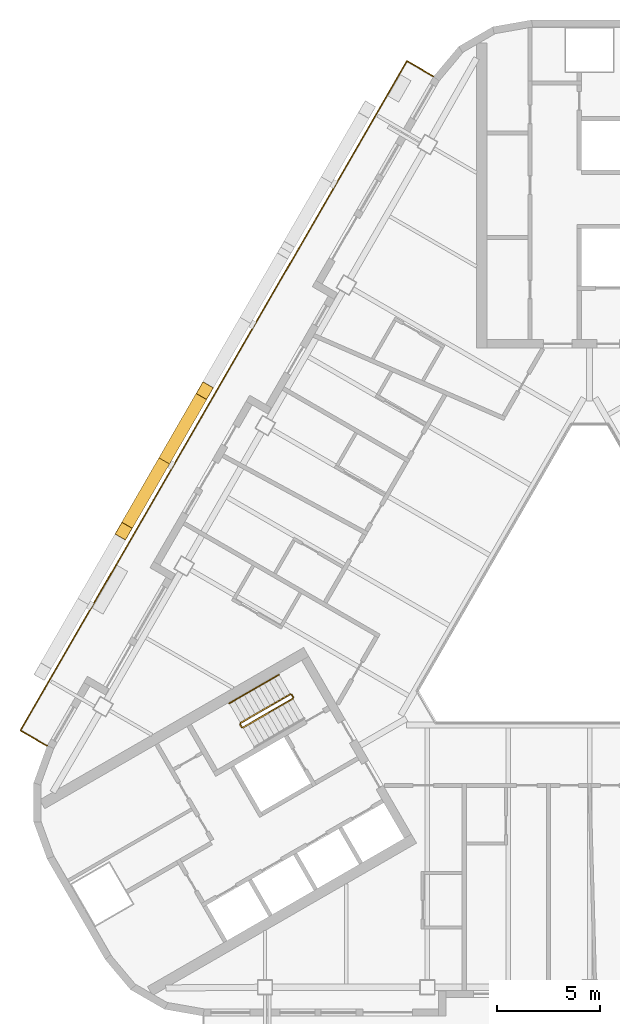
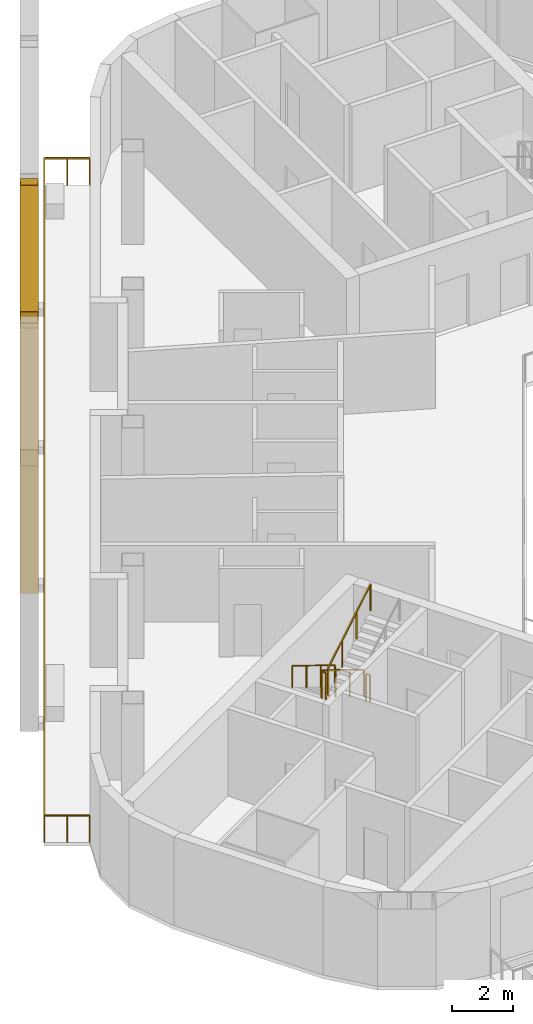
# One storey, part 10 of 14: 6 railings, 2 shading devices.
"""IFC4 building model written with IfcOpenShell, lengths in metres."""

from ifc_helpers import new_model, si_unit, direction, frame, origin, origin_2d, place, context, subcontext, project, spatial, rectangle, hollow_rectangle, circle, extrude, material, material_profile, profile_set, type_object, element, save


model = new_model("IFC4")

# Units and contexts
model_context = context("Model", 3, precision=1e-05, world=origin(), true_north=direction((0.0, 1.0)))
body_context = subcontext(model_context, "Body", "Model", "MODEL_VIEW")
ifc_project = project(units=[si_unit("LENGTHUNIT", "METRE"), si_unit("AREAUNIT", "SQUARE_METRE"), si_unit("VOLUMEUNIT", "CUBIC_METRE"), si_unit("PLANEANGLEUNIT", "RADIAN"), si_unit("MASSUNIT", "GRAM", prefix="KILO")], contexts=[model_context])

# Site, building, storey
site_placement = place(None, origin())
site = spatial("IfcSite", under=ifc_project, at=site_placement, CompositionType="ELEMENT")
building_placement = place(site_placement, origin())
building = spatial("IfcBuilding", under=site, at=building_placement, Name="Apuvela Tower Hotel", CompositionType="ELEMENT")
storey_placement = place(building_placement, frame((0.0, 0.0, 224.300048828125)))
storey = spatial("IfcBuildingStorey", under=building, at=storey_placement, Name="L55", CompositionType="ELEMENT", Elevation=224.300048828125)

# Railings
ifc_material_1 = material(Name="Steel S275 balustrade", Category="steel")
railing_type_1 = type_object("IfcRailingType", Name="COR-GUARD-1100", PredefinedType="GUARDRAIL", material=ifc_material_1)
railing_1_placement = place(storey_placement, frame((-14.569091796875, -3.9658203125, 0.168212890625)))
element("IfcRailing", 1, at=railing_1_placement, inside=storey, type_object=railing_type_1, Name="L55 ST2 stair guard 1", PredefinedType="GUARDRAIL", context=body_context, shape_type="SweptSolid", body=[
    extrude(rectangle(XDim=0.048095703125, YDim=0.048095703125, at=origin_2d()), frame((0.0, 0.0, 1.076171875), z_axis=(-0.74241905619, -0.428617687091, 0.514879426), x_axis=(0.49998411664, -0.866034573852, 0.0)), (0.0, 0.0, 1.0), 3.26611328125),
    extrude(rectangle(XDim=0.0419921875, YDim=0.0419921875, at=origin_2d()), origin(), (0.0, 0.0, 1.0), 1.052001953125),
    extrude(rectangle(XDim=0.0419921875, YDim=0.0419921875, at=origin_2d()), frame((-0.808349609375, -0.466552734375, 0.560546875)), (0.0, 0.0, 1.0), 1.052001953125),
    extrude(rectangle(XDim=0.0419921875, YDim=0.0419921875, at=origin_2d()), frame((-1.616455078125, -0.933349609375, 1.12109375)), (0.0, 0.0, 1.0), 1.052001953125),
    extrude(rectangle(XDim=0.0419921875, YDim=0.0419921875, at=origin_2d()), frame((-2.4248046875, -1.39990234375, 1.681640625)), (0.0, 0.0, 1.0), 1.052001953125),
])
railing_2_placement = place(storey_placement, frame((-17.01220703125, -5.43408203125, 1.849853515625)))
element("IfcRailing", 2, at=railing_2_placement, inside=storey, type_object=railing_type_1, Name="L55 ST2 stair guard 2", PredefinedType="GUARDRAIL", context=body_context, shape_type="SweptSolid", body=[
    extrude(rectangle(XDim=0.048095703125, YDim=0.048095703125, at=origin_2d()), frame((0.0, 0.0, 1.076171875), z_axis=(0.499816412211, -0.866131372301, 0.0), x_axis=(0.866131372301, 0.499816412211, 0.0)), (0.0, 0.0, 1.0), 0.14990234375),
    extrude(rectangle(XDim=0.0419921875, YDim=0.0419921875, at=origin_2d()), origin(), (0.0, 0.0, 1.0), 1.052001953125),
    extrude(rectangle(XDim=0.0419921875, YDim=0.0419921875, at=origin_2d()), frame((0.074951171875, -0.1298828125, 0.0)), (0.0, 0.0, 1.0), 1.052001953125),
])
railing_3_placement = place(storey_placement, frame((-16.868896484375, -5.582275390625, 2.01806640625)))
element("IfcRailing", 3, at=railing_3_placement, inside=storey, type_object=railing_type_1, Name="L55 ST2 stair guard 3", PredefinedType="GUARDRAIL", context=body_context, shape_type="SweptSolid", body=[
    extrude(rectangle(XDim=0.048095703125, YDim=0.048095703125, at=origin_2d()), frame((0.0, 0.0, 1.076171875), z_axis=(0.742390482028, 0.42860119049, 0.514934356695), x_axis=(-0.49998411664, 0.866034573852, 0.0)), (0.0, 0.0, 1.0), 3.26611328125),
    extrude(rectangle(XDim=0.0419921875, YDim=0.0419921875, at=origin_2d()), origin(), (0.0, 0.0, 1.0), 1.052001953125),
    extrude(rectangle(XDim=0.0419921875, YDim=0.0419921875, at=origin_2d()), frame((0.808349609375, 0.466552734375, 0.560546875)), (0.0, 0.0, 1.0), 1.052001953125),
    extrude(rectangle(XDim=0.0419921875, YDim=0.0419921875, at=origin_2d()), frame((1.616455078125, 0.933349609375, 1.121337890625)), (0.0, 0.0, 1.0), 1.052001953125),
    extrude(rectangle(XDim=0.0419921875, YDim=0.0419921875, at=origin_2d()), frame((2.4248046875, 1.39990234375, 1.681884765625)), (0.0, 0.0, 1.0), 1.052001953125),
])
railing_4_placement = place(storey_placement, frame((-14.500732421875, -3.984130859375, 0.0)))
element("IfcRailing", 4, at=railing_4_placement, inside=storey, type_object=railing_type_1, Name="L55 ST2 stair guard 4", PredefinedType="GUARDRAIL", context=body_context, shape_type="SweptSolid", body=[
    extrude(rectangle(XDim=0.048095703125, YDim=0.048095703125, at=origin_2d()), frame((0.0, 0.0, 1.076171875), z_axis=(0.499816412211, -0.866131372301, 0.0), x_axis=(0.866131372301, 0.499816412211, 0.0)), (0.0, 0.0, 1.0), 0.14990234375),
    extrude(rectangle(XDim=0.0419921875, YDim=0.0419921875, at=origin_2d()), origin(), (0.0, 0.0, 1.0), 1.052001953125),
    extrude(rectangle(XDim=0.0419921875, YDim=0.0419921875, at=origin_2d()), frame((0.074951171875, -0.1298828125, 0.0)), (0.0, 0.0, 1.0), 1.052001953125),
])
ifc_material_2 = material(Name="Stainless steel 316 handrail", Category="steel")
railing_type_2 = type_object("IfcRailingType", Name="COR-HANDRAIL-900", PredefinedType="HANDRAIL", material=ifc_material_2)
railing_5_placement = place(storey_placement, frame((-15.118896484375, -3.01318359375, 0.168212890625)))
element("IfcRailing", 5, at=railing_5_placement, inside=storey, type_object=railing_type_2, Name="L55 ST2 stair handrail 1", PredefinedType="HANDRAIL", context=body_context, shape_type="SweptSolid", body=[
    extrude(circle(Radius=0.02392578125, at=origin_2d()), frame((0.0, 0.0, 0.8759765625), z_axis=(-0.742452602333, -0.428593901316, 0.514850853203), x_axis=(0.49994636267, -0.866056369097, 0.0)), (0.0, 0.0, 1.0), 3.266357421875),
    extrude(rectangle(XDim=0.0419921875, YDim=0.0419921875, at=origin_2d()), origin(), (0.0, 0.0, 1.0), 0.851806640625),
    extrude(rectangle(XDim=0.0419921875, YDim=0.0419921875, at=origin_2d()), frame((-0.808349609375, -0.466552734375, 0.560546875)), (0.0, 0.0, 1.0), 0.851806640625),
    extrude(rectangle(XDim=0.0419921875, YDim=0.0419921875, at=origin_2d()), frame((-1.61669921875, -0.933349609375, 1.12109375)), (0.0, 0.0, 1.0), 0.851806640625),
    extrude(rectangle(XDim=0.0419921875, YDim=0.0419921875, at=origin_2d()), frame((-2.425048828125, -1.39990234375, 1.681640625)), (0.0, 0.0, 1.0), 0.851806640625),
])

# Shading devices
ifc_material_3 = material(Name="Aluminium 6063-T6, black anodised", Category="aluminium")
ifc_material_profile = material_profile(ifc_material_3, hollow_rectangle(XDim=0.60009765625, YDim=0.699951171875, WallThickness=0.011962890625, at=origin_2d()), Name="AL BOX 700x600x12")
ifc_profile_set = profile_set([ifc_material_profile], Name="Aluminium 6063-T6, black anodised")
shading_device_type = type_object("IfcShadingDeviceType", Name="ENV-FIN-700x600", PredefinedType="USERDEFINED", material=ifc_profile_set)
for number, where, z_axis, x_axis, name in (
    (6, (-20.70703125, 7.394287109375, -0.10009765625), (0.141362458172, 0.244854667011, 0.959199065608), (-0.866032218625, 0.499988196164, 0.0), "Lattice fin NW525"),
    (7, (-20.70703125, 7.394287109375, -0.10009765625), (-0.141378979785, -0.244870490079, 0.959192591278), (0.866020906874, -0.500007788796, 0.0), "Lattice fin NW526"),
):
    element("IfcShadingDevice", number, at=place(storey_placement, frame(where, z_axis=z_axis, x_axis=x_axis)), inside=storey, type_object=shading_device_type, Name=name, ObjectType="FIN", PredefinedType="USERDEFINED", context=body_context, shape_type="SweptSolid", body=[
        extrude(hollow_rectangle(XDim=0.60009765625, YDim=0.699951171875, WallThickness=0.011962890625, at=origin_2d()), origin(), (0.0, 0.0, 1.0), 13.97021484375),
    ])

# Railing
ifc_material_4 = material(Name="Stainless steel 316 rail with laminated glass infill", Category="steel")
railing_type_3 = type_object("IfcRailingType", Name="ENV-GUARD-1100", PredefinedType="GUARDRAIL", material=ifc_material_4)
railing_6_placement = place(storey_placement, frame((-7.59228515625, 26.110107421875, 0.0)))
element("IfcRailing", 8, at=railing_6_placement, inside=storey, type_object=railing_type_3, Name="Balcony guard NW L55", PredefinedType="GUARDRAIL", context=body_context, shape_type="SweptSolid", body=[
    extrude(rectangle(XDim=0.050048828125, YDim=0.050048828125, at=origin_2d()), frame((0.0, 0.0, 1.0751953125), z_axis=(-0.86599040064, 0.500060622324, 0.0), x_axis=(-0.500060622324, -0.86599040064, 0.0)), (0.0, 0.0, 1.0), 1.499755859375),
    extrude(rectangle(XDim=0.050048828125, YDim=0.050048828125, at=origin_2d()), frame((-1.298828125, 0.75, 1.0751953125), z_axis=(-0.500000437506, -0.86602515119, 0.0), x_axis=(0.86602515119, -0.500000437506, 0.0)), (0.0, 0.0, 1.0), 37.6318359375),
    extrude(rectangle(XDim=0.050048828125, YDim=0.050048828125, at=origin_2d()), frame((-20.11474609375, -31.840087890625, 1.0751953125), z_axis=(0.866031096941, -0.499990139034, 0.0), x_axis=(0.499990139034, 0.866031096941, 0.0)), (0.0, 0.0, 1.0), 1.5),
    extrude(rectangle(XDim=0.0400390625, YDim=0.0400390625, at=origin_2d()), origin(), (0.0, 0.0, 1.0), 1.050048828125),
    extrude(rectangle(XDim=0.0400390625, YDim=0.0400390625, at=origin_2d()), frame((-0.6494140625, 0.375, 0.0)), (0.0, 0.0, 1.0), 1.050048828125),
    extrude(rectangle(XDim=0.0400390625, YDim=0.0400390625, at=origin_2d()), frame((-1.298828125, 0.75, 0.0)), (0.0, 0.0, 1.0), 1.050048828125),
    extrude(rectangle(XDim=0.0400390625, YDim=0.0400390625, at=origin_2d()), frame((-1.88671875, -0.2685546875, 0.0)), (0.0, 0.0, 1.0), 1.050048828125),
    extrude(rectangle(XDim=0.0400390625, YDim=0.0400390625, at=origin_2d()), frame((-2.474853515625, -1.286865234375, 0.0)), (0.0, 0.0, 1.0), 1.050048828125),
    extrude(rectangle(XDim=0.0400390625, YDim=0.0400390625, at=origin_2d()), frame((-3.062744140625, -2.305419921875, 0.0)), (0.0, 0.0, 1.0), 1.050048828125),
    extrude(rectangle(XDim=0.0400390625, YDim=0.0400390625, at=origin_2d()), frame((-3.65087890625, -3.32373046875, 0.0)), (0.0, 0.0, 1.0), 1.050048828125),
    extrude(rectangle(XDim=0.0400390625, YDim=0.0400390625, at=origin_2d()), frame((-4.23876953125, -4.34228515625, 0.0)), (0.0, 0.0, 1.0), 1.050048828125),
    extrude(rectangle(XDim=0.0400390625, YDim=0.0400390625, at=origin_2d()), frame((-4.826904296875, -5.360595703125, 0.0)), (0.0, 0.0, 1.0), 1.050048828125),
    extrude(rectangle(XDim=0.0400390625, YDim=0.0400390625, at=origin_2d()), frame((-5.414794921875, -6.379150390625, 0.0)), (0.0, 0.0, 1.0), 1.050048828125),
    extrude(rectangle(XDim=0.0400390625, YDim=0.0400390625, at=origin_2d()), frame((-6.0029296875, -7.3974609375, 0.0)), (0.0, 0.0, 1.0), 1.050048828125),
    extrude(rectangle(XDim=0.0400390625, YDim=0.0400390625, at=origin_2d()), frame((-6.5908203125, -8.416015625, 0.0)), (0.0, 0.0, 1.0), 1.050048828125),
    extrude(rectangle(XDim=0.0400390625, YDim=0.0400390625, at=origin_2d()), frame((-7.1787109375, -9.434326171875, 0.0)), (0.0, 0.0, 1.0), 1.050048828125),
    extrude(rectangle(XDim=0.0400390625, YDim=0.0400390625, at=origin_2d()), frame((-7.766845703125, -10.452880859375, 0.0)), (0.0, 0.0, 1.0), 1.050048828125),
    extrude(rectangle(XDim=0.0400390625, YDim=0.0400390625, at=origin_2d()), frame((-8.354736328125, -11.47119140625, 0.0)), (0.0, 0.0, 1.0), 1.050048828125),
    extrude(rectangle(XDim=0.0400390625, YDim=0.0400390625, at=origin_2d()), frame((-8.94287109375, -12.48974609375, 0.0)), (0.0, 0.0, 1.0), 1.050048828125),
    extrude(rectangle(XDim=0.0400390625, YDim=0.0400390625, at=origin_2d()), frame((-9.53076171875, -13.508056640625, 0.0)), (0.0, 0.0, 1.0), 1.050048828125),
    extrude(rectangle(XDim=0.0400390625, YDim=0.0400390625, at=origin_2d()), frame((-10.118896484375, -14.526611328125, 0.0)), (0.0, 0.0, 1.0), 1.050048828125),
    extrude(rectangle(XDim=0.0400390625, YDim=0.0400390625, at=origin_2d()), frame((-10.706787109375, -15.544921875, 0.0)), (0.0, 0.0, 1.0), 1.050048828125),
    extrude(rectangle(XDim=0.0400390625, YDim=0.0400390625, at=origin_2d()), frame((-11.294677734375, -16.5634765625, 0.0)), (0.0, 0.0, 1.0), 1.050048828125),
    extrude(rectangle(XDim=0.0400390625, YDim=0.0400390625, at=origin_2d()), frame((-11.8828125, -17.58203125, 0.0)), (0.0, 0.0, 1.0), 1.050048828125),
    extrude(rectangle(XDim=0.0400390625, YDim=0.0400390625, at=origin_2d()), frame((-12.470703125, -18.600341796875, 0.0)), (0.0, 0.0, 1.0), 1.050048828125),
    extrude(rectangle(XDim=0.0400390625, YDim=0.0400390625, at=origin_2d()), frame((-13.058837890625, -19.618896484375, 0.0)), (0.0, 0.0, 1.0), 1.050048828125),
    extrude(rectangle(XDim=0.0400390625, YDim=0.0400390625, at=origin_2d()), frame((-13.646728515625, -20.63720703125, 0.0)), (0.0, 0.0, 1.0), 1.050048828125),
    extrude(rectangle(XDim=0.0400390625, YDim=0.0400390625, at=origin_2d()), frame((-14.23486328125, -21.65576171875, 0.0)), (0.0, 0.0, 1.0), 1.050048828125),
    extrude(rectangle(XDim=0.0400390625, YDim=0.0400390625, at=origin_2d()), frame((-14.82275390625, -22.674072265625, 0.0)), (0.0, 0.0, 1.0), 1.050048828125),
    extrude(rectangle(XDim=0.0400390625, YDim=0.0400390625, at=origin_2d()), frame((-15.41064453125, -23.692626953125, 0.0)), (0.0, 0.0, 1.0), 1.050048828125),
    extrude(rectangle(XDim=0.0400390625, YDim=0.0400390625, at=origin_2d()), frame((-15.998779296875, -24.7109375, 0.0)), (0.0, 0.0, 1.0), 1.050048828125),
    extrude(rectangle(XDim=0.0400390625, YDim=0.0400390625, at=origin_2d()), frame((-16.586669921875, -25.7294921875, 0.0)), (0.0, 0.0, 1.0), 1.050048828125),
    extrude(rectangle(XDim=0.0400390625, YDim=0.0400390625, at=origin_2d()), frame((-17.1748046875, -26.747802734375, 0.0)), (0.0, 0.0, 1.0), 1.050048828125),
    extrude(rectangle(XDim=0.0400390625, YDim=0.0400390625, at=origin_2d()), frame((-17.7626953125, -27.766357421875, 0.0)), (0.0, 0.0, 1.0), 1.050048828125),
    extrude(rectangle(XDim=0.0400390625, YDim=0.0400390625, at=origin_2d()), frame((-18.350830078125, -28.78466796875, 0.0)), (0.0, 0.0, 1.0), 1.050048828125),
    extrude(rectangle(XDim=0.0400390625, YDim=0.0400390625, at=origin_2d()), frame((-18.938720703125, -29.80322265625, 0.0)), (0.0, 0.0, 1.0), 1.050048828125),
    extrude(rectangle(XDim=0.0400390625, YDim=0.0400390625, at=origin_2d()), frame((-19.52685546875, -30.821533203125, 0.0)), (0.0, 0.0, 1.0), 1.050048828125),
    extrude(rectangle(XDim=0.0400390625, YDim=0.0400390625, at=origin_2d()), frame((-20.11474609375, -31.840087890625, 0.0)), (0.0, 0.0, 1.0), 1.050048828125),
    extrude(rectangle(XDim=0.0400390625, YDim=0.0400390625, at=origin_2d()), frame((-19.46533203125, -32.215087890625, 0.0)), (0.0, 0.0, 1.0), 1.050048828125),
    extrude(rectangle(XDim=0.0400390625, YDim=0.0400390625, at=origin_2d()), frame((-18.815673828125, -32.590087890625, 0.0)), (0.0, 0.0, 1.0), 1.050048828125),
])

save(model, "model.ifc")
